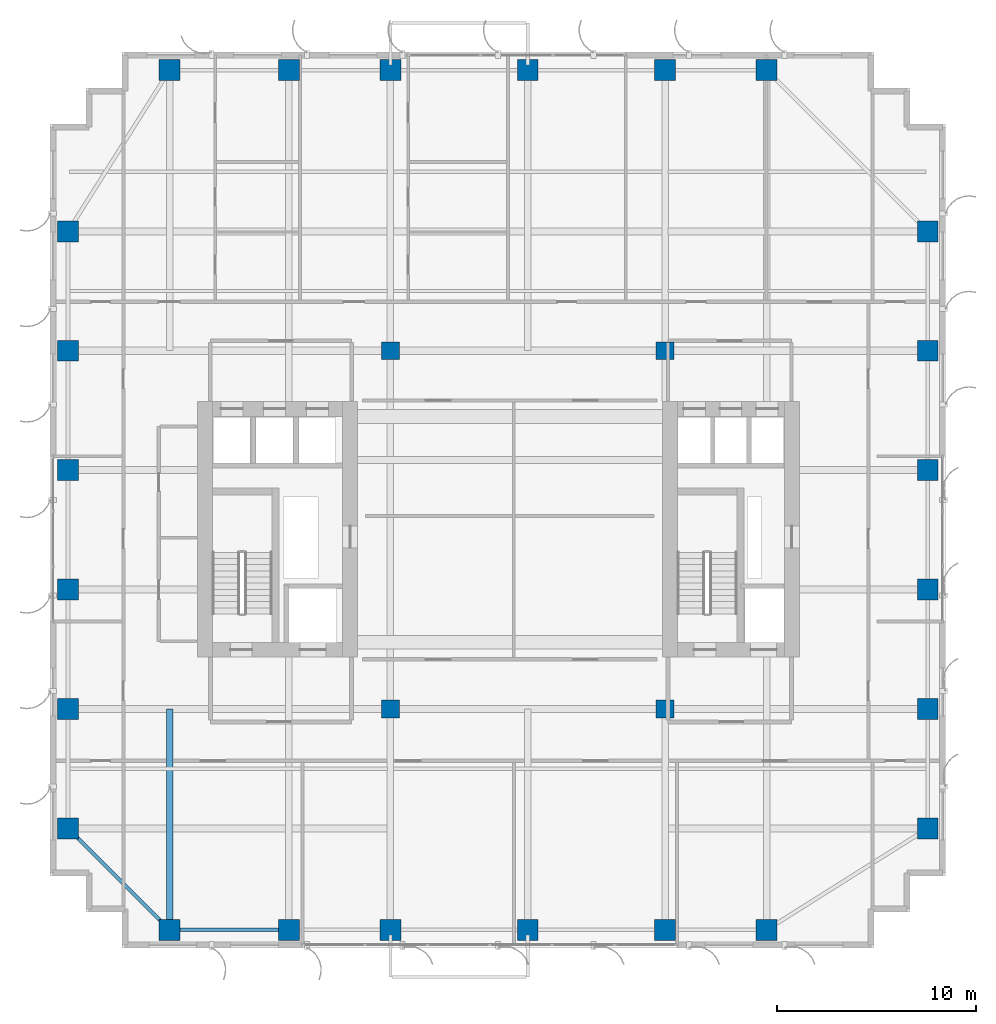
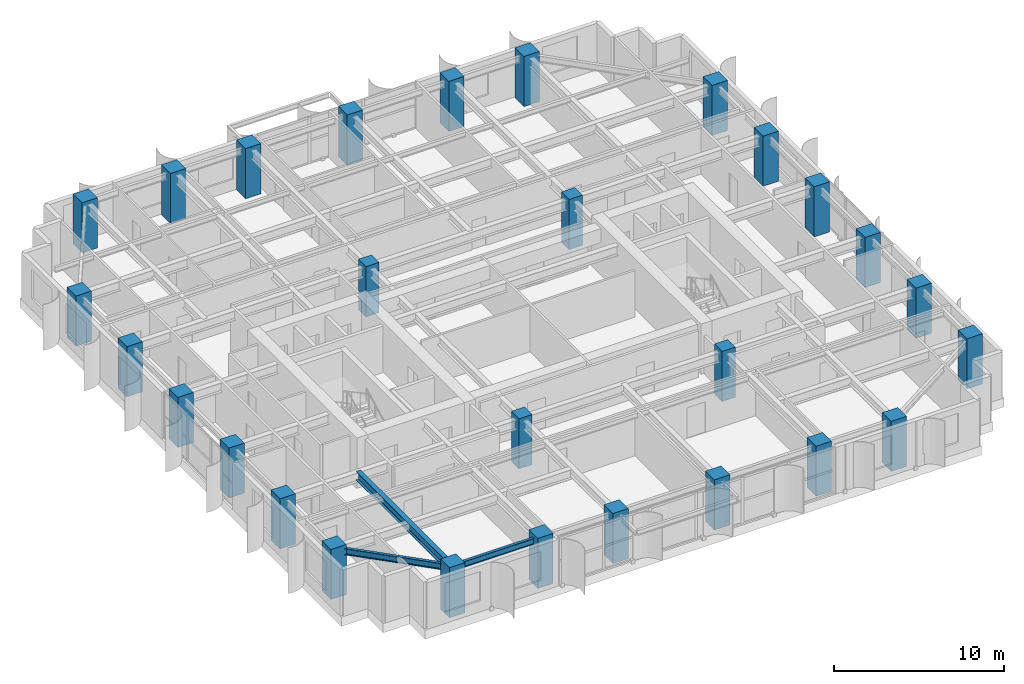
# One storey, part 1 of 23: 28 columns, 3 beams.
"""IFC4 building model written with IfcOpenShell, lengths in metres."""

import ifcopenshell
import ifcopenshell.guid

model = None  # the IFC model being written
_history = None  # IfcOwnerHistory: only IFC2X3 demands one
_inside = {}  # id of a spatial element -> (the spatial element, [elements in it])
_under = {}  # id of a project, library or spatial element -> (it, [spatial elements below it])
_declared = {}  # id of a project -> (the project, [libraries it declares])
_typed = {}  # id of a type object -> (the type object, [elements of that type])
_made_of = {}  # id of a material, layer set ... -> (it, [elements and type objects made of it])


def new_model(schema):
    """Start an empty IFC model of exactly this schema.

    Asked for "IFC4X3", IfcOpenShell would pick the latest addendum, in which some entities
    have other attributes; the version numbers below select the first issue.
    IFC2X3 requires an IfcOwnerHistory on every rooted entity: one is made here for all.
    """
    global model, _history
    if schema == "IFC4X3":
        model = ifcopenshell.file(schema_version=(4, 3, 0, 0))
    else:
        model = ifcopenshell.file(schema=schema)
    _inside.clear()
    _under.clear()
    _declared.clear()
    _typed.clear()
    _made_of.clear()
    _history = None
    if model.schema == "IFC2X3":
        org = make("IfcOrganization", Name="unknown")
        user = make(
            "IfcPersonAndOrganization",
            ThePerson=make("IfcPerson", FamilyName="unknown"),
            TheOrganization=org,
        )
        app = make(
            "IfcApplication",
            ApplicationDeveloper=org,
            Version="unknown",
            ApplicationFullName="unknown",
            ApplicationIdentifier="unknown",
        )
        _history = make(
            "IfcOwnerHistory",
            OwningUser=user,
            OwningApplication=app,
            ChangeAction="ADDED",
            CreationDate=0,
        )
    return model


def make(cls, **values):
    """One entity of the class cls with the attributes given. An attribute that is None is left unset."""
    return model.create_entity(
        cls, **{name: value for name, value in values.items() if value is not None}
    )


def rooted(cls, **values):
    """An entity with a GlobalId (a new one), such as an element, a storey or a relation."""
    return make(cls, GlobalId=ifcopenshell.guid.new(), OwnerHistory=_history, **values)


def si_unit(unit_type, name, prefix=None):
    """IfcSIUnit, for example si_unit("LENGTHUNIT", "METRE", prefix="MILLI")."""
    return make("IfcSIUnit", UnitType=unit_type, Prefix=prefix, Name=name)


def assignment(units):
    """IfcUnitAssignment: the units of a project."""
    return None if units is None else make("IfcUnitAssignment", Units=units)


def point(xyz):
    """IfcCartesianPoint."""
    return None if xyz is None else make("IfcCartesianPoint", Coordinates=xyz)


def direction(xyz):
    """IfcDirection."""
    return None if xyz is None else make("IfcDirection", DirectionRatios=xyz)


def frame(location, z_axis=None, x_axis=None):
    """IfcAxis2Placement3D, a coordinate frame: its origin and axes. An axis left out is left unset."""
    return make(
        "IfcAxis2Placement3D",
        Location=point(location),
        Axis=direction(z_axis),
        RefDirection=direction(x_axis),
    )


def frame_2d(location, x_axis=None):
    """IfcAxis2Placement2D, a coordinate frame in the plane: its origin and x axis."""
    return make(
        "IfcAxis2Placement2D", Location=point(location), RefDirection=direction(x_axis)
    )


def origin():
    """The frame at (0, 0, 0) with its axes left unset."""
    return frame((0.0, 0.0, 0.0))


def origin_2d():
    """The frame at (0, 0) in the plane with its x axis left unset."""
    return frame_2d((0.0, 0.0))


def place(relative_to, where):
    """IfcLocalPlacement: puts the frame where relative to a parent placement (None: the world)."""
    return make(
        "IfcLocalPlacement", PlacementRelTo=relative_to, RelativePlacement=where
    )


def context(
    kind, dimensions, precision=None, world=None, true_north=None, identifier=None
):
    """IfcGeometricRepresentationContext, for example the 3D "Model" context."""
    return make(
        "IfcGeometricRepresentationContext",
        ContextIdentifier=identifier,
        ContextType=kind,
        CoordinateSpaceDimension=dimensions,
        Precision=precision,
        WorldCoordinateSystem=world,
        TrueNorth=true_north,
    )


def subcontext(parent, identifier, kind, view, scale=None):
    """IfcGeometricRepresentationSubContext, for example "Body" below "Model"."""
    return make(
        "IfcGeometricRepresentationSubContext",
        ContextIdentifier=identifier,
        ContextType=kind,
        ParentContext=parent,
        TargetScale=scale,
        TargetView=view,
    )


def project(units=None, contexts=None):
    """IfcProject with its units and contexts."""
    return rooted(
        "IfcProject",
        Name="project",
        RepresentationContexts=contexts,
        UnitsInContext=assignment(units),
    )


def spatial(cls, under=None, at=None, **own):
    """A site, building, storey or space (cls), placed at a placement, below another one or the project."""
    s = rooted(cls, ObjectPlacement=at, **own)
    if under is not None:
        _under.setdefault(under.id(), (under, []))[1].append(s)
    return s


def profile(cls, at=None, kind="AREA", **sizes):
    """A parametric profile (cls). Its sizes go by their IFC names, for example OverallWidth=200.0."""
    return make(cls, ProfileType=kind, Position=at, **sizes)


def rectangle(**sizes):
    """IfcRectangleProfileDef."""
    return profile("IfcRectangleProfileDef", **sizes)


def i_section(**sizes):
    """IfcIShapeProfileDef."""
    return profile("IfcIShapeProfileDef", **sizes)


def extrude(swept, where, along, depth):
    """IfcExtrudedAreaSolid: the profile swept, set in the frame where, extruded along a direction by depth."""
    return make(
        "IfcExtrudedAreaSolid",
        SweptArea=swept,
        Position=where,
        ExtrudedDirection=direction(along),
        Depth=depth,
    )


def shape(context_of_items, identifier, shape_type, items):
    """IfcShapeRepresentation: the items that make up one representation, for example the "Body"."""
    return make(
        "IfcShapeRepresentation",
        ContextOfItems=context_of_items,
        RepresentationIdentifier=identifier,
        RepresentationType=shape_type,
        Items=items,
    )


def source(mapping_origin, context_of_items, identifier, shape_type, items):
    """IfcRepresentationMap: a shape defined once, which mapped items show again and again."""
    return make(
        "IfcRepresentationMap",
        MappingOrigin=mapping_origin,
        MappedRepresentation=shape(context_of_items, identifier, shape_type, items),
    )


def transform(
    local_origin,
    x_axis=None,
    y_axis=None,
    z_axis=None,
    scale=None,
    scale2=None,
    scale3=None,
    uniform=True,
):
    """IfcCartesianTransformationOperator3D, or its non-uniform kind. x_axis, y_axis, z_axis: its Axis1, 2, 3."""
    if uniform:
        return make(
            "IfcCartesianTransformationOperator3D",
            Axis1=direction(x_axis),
            Axis2=direction(y_axis),
            LocalOrigin=point(local_origin),
            Scale=scale,
            Axis3=direction(z_axis),
        )
    return make(
        "IfcCartesianTransformationOperator3DnonUniform",
        Axis1=direction(x_axis),
        Axis2=direction(y_axis),
        LocalOrigin=point(local_origin),
        Scale=scale,
        Axis3=direction(z_axis),
        Scale2=scale2,
        Scale3=scale3,
    )


def mapped(mapping_source, mapping_target):
    """IfcMappedItem: shows the shape of a source again, moved by a transform."""
    return make(
        "IfcMappedItem", MappingSource=mapping_source, MappingTarget=mapping_target
    )


def material(Name=None, Category=None):
    """IfcMaterial."""
    return make("IfcMaterial", Name=Name, Category=Category)


def material_profile(
    of_material, cross_section, Name=None, Category=None, Priority=None
):
    """IfcMaterialProfile: a cross section and its material."""
    return make(
        "IfcMaterialProfile",
        Name=Name,
        Material=of_material,
        Profile=cross_section,
        Priority=Priority,
        Category=Category,
    )


def profile_set(profiles, Name=None, composite=None):
    """IfcMaterialProfileSet."""
    return make(
        "IfcMaterialProfileSet",
        Name=Name,
        MaterialProfiles=profiles,
        CompositeProfile=composite,
    )


def made_of(thing, what):
    """Note that an element or type object is made of a material, layer set ...; save() writes the relation."""
    if what is not None:
        _made_of.setdefault(what.id(), (what, []))[1].append(thing)
    return thing


def type_object(cls, material=None, **own):
    """A type object (cls), such as IfcWallType, which elements share."""
    return made_of(rooted(cls, **own), material)


def element(
    cls,
    number,
    at=None,
    inside=None,
    cuts=None,
    type_object=None,
    material=None,
    context=None,
    identifier="Body",
    shape_type=None,
    held_by="IfcProductDefinitionShape",
    body=None,
    shapes=None,
    **own,
):
    """One element of the class cls, such as IfcWall. Its Tag is "e" and its number.

    at: its placement. inside: the storey or other place that contains it. cuts: it is an
    opening in that element (IfcRelVoidsElement). A single representation is given by context,
    identifier, shape_type and body (its items); several are given by shapes. held_by: the class
    of the entity that holds the representations. save() writes the other relations.
    """
    e = rooted(cls, Tag="e%d" % number, ObjectPlacement=at, **own)
    if body is not None:
        shapes = [shape(context, identifier, shape_type, body)]
    if shapes is not None:
        e.Representation = make(held_by, Representations=shapes)
    if inside is not None:
        _inside.setdefault(inside.id(), (inside, []))[1].append(e)
    if cuts is not None:
        rooted(
            "IfcRelVoidsElement", RelatingBuildingElement=cuts, RelatedOpeningElement=e
        )
    if type_object is not None:
        _typed.setdefault(type_object.id(), (type_object, []))[1].append(e)
    return made_of(e, material)


def aggregate(whole, parts):
    """IfcRelAggregates: a whole, such as a stair, and the parts it consists of."""
    return rooted("IfcRelAggregates", RelatingObject=whole, RelatedObjects=parts)


def save(model, path):
    """Write the relations noted so far, then the file.

    IfcRelAggregates (storeys below a building ...), IfcRelContainedInSpatialStructure (elements
    in a storey), IfcRelDefinesByType, IfcRelAssociatesMaterial and IfcRelDeclares: one each for
    every whole, place, type object, material and project.
    """
    for whole, parts in _under.values():
        aggregate(whole, parts)
    for where, things in _inside.values():
        rooted(
            "IfcRelContainedInSpatialStructure",
            RelatedElements=things,
            RelatingStructure=where,
        )
    for kind, things in _typed.values():
        rooted("IfcRelDefinesByType", RelatedObjects=things, RelatingType=kind)
    for what, things in _made_of.values():
        rooted("IfcRelAssociatesMaterial", RelatedObjects=things, RelatingMaterial=what)
    for by, libraries in _declared.values():
        rooted("IfcRelDeclares", RelatingContext=by, RelatedDefinitions=libraries)
    model.write(path)


model = new_model("IFC4")

# Units and contexts
model_context = context("Model", 3, precision=1e-05, world=origin(), true_north=direction((0.0, 1.0)))
body_context = subcontext(model_context, "Body", "Model", "MODEL_VIEW")
ifc_project = project(units=[si_unit("LENGTHUNIT", "METRE"), si_unit("AREAUNIT", "SQUARE_METRE"), si_unit("VOLUMEUNIT", "CUBIC_METRE"), si_unit("PLANEANGLEUNIT", "RADIAN"), si_unit("MASSUNIT", "GRAM", prefix="KILO")], contexts=[model_context])

# Site, building, storey
site_placement = place(None, origin())
site = spatial("IfcSite", under=ifc_project, at=site_placement, CompositionType="ELEMENT")
building_placement = place(site_placement, origin())
building = spatial("IfcBuilding", under=site, at=building_placement, Name="Khoralis Quay Care Tower", CompositionType="ELEMENT")
storey_placement = place(building_placement, frame((0.0, 0.0, 83.699951171875)))
storey = spatial("IfcBuildingStorey", under=building, at=storey_placement, Name="L21", CompositionType="ELEMENT", Elevation=83.699951171875)

# Columns
ifc_material_1 = material(Name="Concrete C65/80", Category="concrete")
ifc_material_profile_1 = material_profile(ifc_material_1, rectangle(XDim=1.050048828125, YDim=1.050048828125, at=origin_2d()), Name="Concrete C65/80")
ifc_profile_set_1 = profile_set([ifc_material_profile_1], Name="Concrete C65/80")
column_type_1 = type_object("IfcColumnType", Name="COL-C1050", PredefinedType="COLUMN", material=ifc_profile_set_1)
shared_shape_1 = source(origin(), body_context, "Body", "SweptSolid", [
    extrude(rectangle(XDim=1.050048828125, YDim=1.050048828125, at=origin_2d()), origin(), (0.0, 0.0, 1.0), 3.60009765625),
])
for number, where, z_axis, x_axis, name in (
    (1, (6.0, 0.89990234375, 0.0), (0.0, 0.0, 1.0), (1.0, 0.0, 0.0), "COL-TWR-L21-01"),
    (2, (6.0, 44.10009765625, 0.0), (0.0, 0.0, 1.0), (1.0, 0.0, 0.0), "COL-TWR-L21-02"),
    (3, (12.0, 0.89990234375, 0.0), (0.0, 0.0, 1.0), (1.0, 0.0, 0.0), "COL-TWR-L21-03"),
    (4, (12.0, 44.10009765625, 0.0), (0.0, 0.0, 1.0), (1.0, 0.0, 0.0), "COL-TWR-L21-04"),
    (5, (17.10009765625, 0.89990234375, 0.0), (0.0, 0.0, 1.0), (1.0, 0.0, 0.0), "COL-TWR-L21-05"),
    (6, (17.10009765625, 44.10009765625, 0.0), (0.0, 0.0, 1.0), (1.0, 0.0, 0.0), "COL-TWR-L21-06"),
    (7, (24.0, 0.89990234375, 0.0), (0.0, 0.0, 1.0), (1.0, 0.0, 0.0), "COL-TWR-L21-07"),
    (8, (24.0, 44.10009765625, 0.0), (0.0, 0.0, 1.0), (1.0, 0.0, 0.0), "COL-TWR-L21-08"),
    (9, (30.89990234375, 0.89990234375, 0.0), (0.0, 0.0, 1.0), (1.0, 0.0, 0.0), "COL-TWR-L21-09"),
    (10, (30.89990234375, 44.10009765625, 0.0), (0.0, 0.0, 1.0), (1.0, 0.0, 0.0), "COL-TWR-L21-10"),
    (11, (36.0, 0.89990234375, 0.0), (0.0, 0.0, 1.0), (1.0, 0.0, 0.0), "COL-TWR-L21-11"),
    (12, (36.0, 44.10009765625, 0.0), (0.0, 0.0, 1.0), (1.0, 0.0, 0.0), "COL-TWR-L21-12"),
    (13, (0.89990234375, 6.0, 0.0), (0.0, 0.0, 1.0), (1.0, 0.0, 0.0), "COL-TWR-L21-13"),
    (14, (44.10009765625, 6.0, 0.0), (0.0, 0.0, 1.0), (1.0, 0.0, 0.0), "COL-TWR-L21-14"),
    (15, (0.89990234375, 12.0, 0.0), (0.0, 0.0, 1.0), (1.0, 0.0, 0.0), "COL-TWR-L21-15"),
    (16, (44.10009765625, 12.0, 0.0), (0.0, 0.0, 1.0), (1.0, 0.0, 0.0), "COL-TWR-L21-16"),
    (17, (0.89990234375, 18.0, 0.0), (0.0, 0.0, 1.0), (1.0, 0.0, 0.0), "COL-TWR-L21-17"),
    (18, (44.10009765625, 18.0, 0.0), (0.0, 0.0, 1.0), (1.0, 0.0, 0.0), "COL-TWR-L21-18"),
    (19, (0.89990234375, 24.0, 0.0), (0.0, 0.0, 1.0), (1.0, 0.0, 0.0), "COL-TWR-L21-19"),
    (20, (44.10009765625, 24.0, 0.0), (0.0, 0.0, 1.0), (1.0, 0.0, 0.0), "COL-TWR-L21-20"),
    (21, (0.89990234375, 30.0, 0.0), (0.0, 0.0, 1.0), (1.0, 0.0, 0.0), "COL-TWR-L21-21"),
    (22, (44.10009765625, 30.0, 0.0), (0.0, 0.0, 1.0), (1.0, 0.0, 0.0), "COL-TWR-L21-22"),
    (23, (0.89990234375, 36.0, 0.0), (0.0, 0.0, 1.0), (1.0, 0.0, 0.0), "COL-TWR-L21-23"),
    (24, (44.10009765625, 36.0, 0.0), (0.0, 0.0, 1.0), (1.0, 0.0, 0.0), "COL-TWR-L21-24"),
):
    element("IfcColumn", number, at=place(storey_placement, frame(where, z_axis=z_axis, x_axis=x_axis)), inside=storey, type_object=column_type_1, Name=name, PredefinedType="COLUMN", context=body_context, shape_type="MappedRepresentation", body=[
        mapped(shared_shape_1, transform((0.0, 0.0, 0.0), scale=1.0)),
    ])
ifc_material_profile_2 = material_profile(ifc_material_1, rectangle(XDim=0.89990234375, YDim=0.89990234375, at=origin_2d()), Name="Concrete C65/80")
ifc_profile_set_2 = profile_set([ifc_material_profile_2], Name="Concrete C65/80")
column_type_2 = type_object("IfcColumnType", Name="COL-C900", PredefinedType="COLUMN", material=ifc_profile_set_2)
shared_shape_2 = source(origin(), body_context, "Body", "SweptSolid", [
    extrude(rectangle(XDim=0.89990234375, YDim=0.89990234375, at=origin_2d()), origin(), (0.0, 0.0, 1.0), 3.60009765625),
])
for number, where, z_axis, x_axis, name in (
    (25, (17.10009765625, 12.0, 0.0), (0.0, 0.0, 1.0), (1.0, 0.0, 0.0), "COL-TWR-L21-25"),
    (26, (17.10009765625, 30.0, 0.0), (0.0, 0.0, 1.0), (1.0, 0.0, 0.0), "COL-TWR-L21-26"),
    (27, (30.89990234375, 12.0, 0.0), (0.0, 0.0, 1.0), (1.0, 0.0, 0.0), "COL-TWR-L21-27"),
    (28, (30.89990234375, 30.0, 0.0), (0.0, 0.0, 1.0), (1.0, 0.0, 0.0), "COL-TWR-L21-28"),
):
    element("IfcColumn", number, at=place(storey_placement, frame(where, z_axis=z_axis, x_axis=x_axis)), inside=storey, type_object=column_type_2, Name=name, PredefinedType="COLUMN", context=body_context, shape_type="MappedRepresentation", body=[
        mapped(shared_shape_2, transform((0.0, 0.0, 0.0), scale=1.0)),
    ])

# Beams
ifc_material_2 = material(Name="Steel S355", Category="steel")
ifc_material_profile_3 = material_profile(ifc_material_2, i_section(OverallWidth=0.18994140625, OverallDepth=0.449951171875, WebThickness=0.009521484375, FlangeThickness=0.0146484375, FilletRadius=0.02099609375, at=origin_2d()), Name="Steel S355")
ifc_profile_set_3 = profile_set([ifc_material_profile_3], Name="Steel S355")
beam_type_1 = type_object("IfcBeamType", Name="BM-IPE450", PredefinedType="SPANDREL", material=ifc_profile_set_3)
shared_shape_3 = source(origin(), body_context, "Body", "SweptSolid", [
    extrude(i_section(OverallWidth=0.18994140625, OverallDepth=0.449951171875, WebThickness=0.009521484375, FlangeThickness=0.0146484375, FilletRadius=0.02099609375, at=origin_2d()), origin(), (0.0, 0.0, 1.0), 6.0),
])
beam_1_placement = place(storey_placement, frame((6.0, 0.89990234375, 3.114990234375), z_axis=(1.0, 0.0, 0.0), x_axis=(0.0, 1.0, 0.0)))
element("IfcBeam", 29, at=beam_1_placement, inside=storey, type_object=beam_type_1, Name="BM-TSP-L21-01", PredefinedType="SPANDREL", context=body_context, shape_type="MappedRepresentation", body=[
    mapped(shared_shape_3, transform((0.0, 0.0, 0.0), scale=1.0)),
])
shared_shape_4 = source(origin(), body_context, "Body", "SweptSolid", [
    extrude(i_section(OverallWidth=0.18994140625, OverallDepth=0.449951171875, WebThickness=0.009521484375, FlangeThickness=0.0146484375, FilletRadius=0.02099609375, at=origin_2d()), origin(), (0.0, 0.0, 1.0), 7.212646484375),
])
beam_2_placement = place(storey_placement, frame((6.0, 0.89990234375, 3.114990234375), z_axis=(-0.707106781187, 0.707106781187, 0.0), x_axis=(-0.707106781187, -0.707106781187, 0.0)))
element("IfcBeam", 30, at=beam_2_placement, inside=storey, type_object=beam_type_1, Name="BM-TCR-L21-21", PredefinedType="SPANDREL", context=body_context, shape_type="MappedRepresentation", body=[
    mapped(shared_shape_4, transform((0.0, 0.0, 0.0), scale=1.0)),
])
ifc_material_profile_4 = material_profile(ifc_material_2, i_section(OverallWidth=0.324951171875, OverallDepth=0.615966796875, WebThickness=0.013916015625, FlangeThickness=0.021484375, FilletRadius=0.01806640625, at=origin_2d()), Name="Steel S355")
ifc_profile_set_4 = profile_set([ifc_material_profile_4], Name="Steel S355")
beam_type_2 = type_object("IfcBeamType", Name="BM-W610X174", PredefinedType="BEAM", material=ifc_profile_set_4)
shared_shape_5 = source(origin(), body_context, "Body", "SweptSolid", [
    extrude(i_section(OverallWidth=0.324951171875, OverallDepth=0.615966796875, WebThickness=0.013916015625, FlangeThickness=0.021484375, FilletRadius=0.01806640625, at=origin_2d()), origin(), (0.0, 0.0, 1.0), 11.10009765625),
])
beam_3_placement = place(storey_placement, frame((6.0, 0.89990234375, 3.031982421875), z_axis=(0.0, 1.0, 0.0), x_axis=(-1.0, 0.0, 0.0)))
element("IfcBeam", 31, at=beam_3_placement, inside=storey, type_object=beam_type_2, Name="BM-TGYS-L21-60", PredefinedType="BEAM", context=body_context, shape_type="MappedRepresentation", body=[
    mapped(shared_shape_5, transform((0.0, 0.0, 0.0), scale=1.0)),
])

save(model, "model.ifc")
